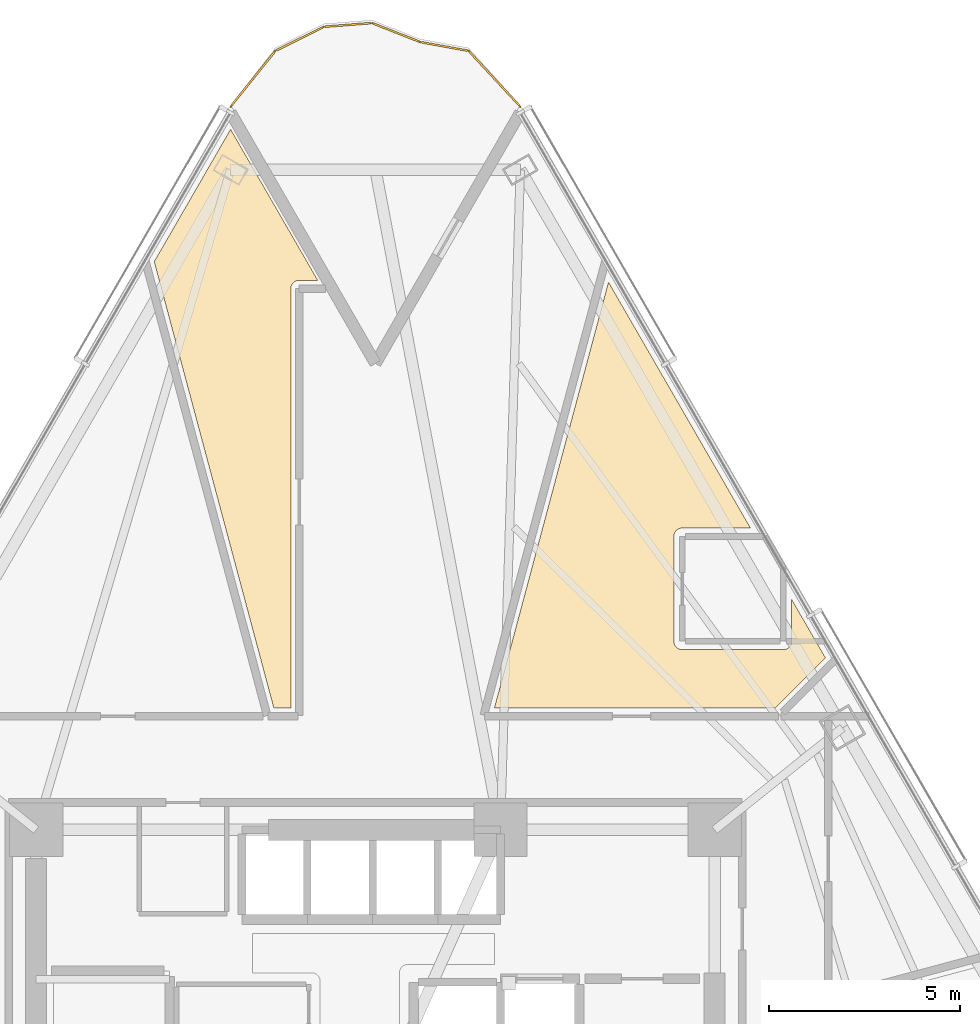
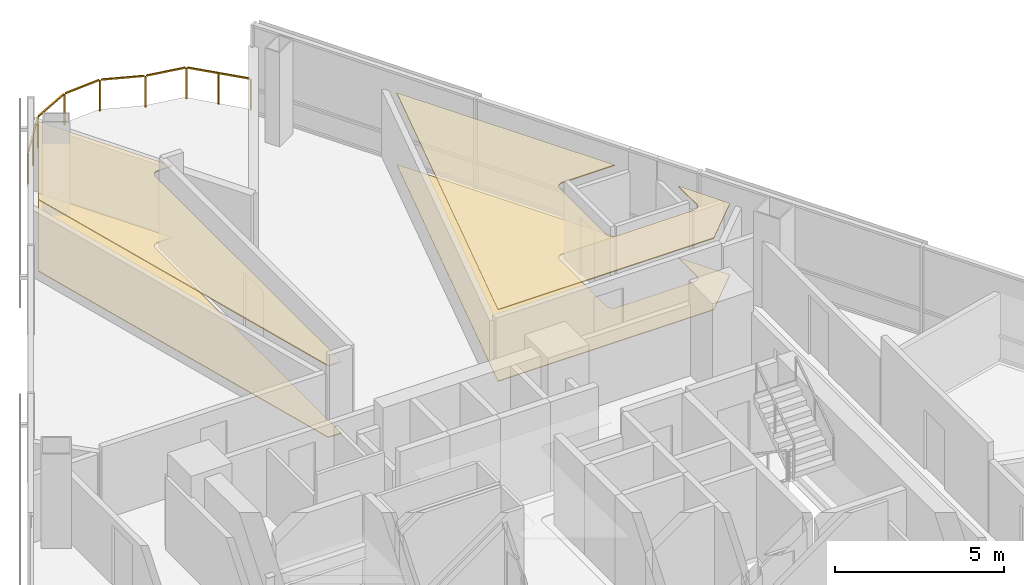
# One storey, part 16 of 16: 4 coverings, 1 railing.
"""IFC4 building model written with IfcOpenShell, lengths in metres."""

from ifc_helpers import new_model, si_unit, direction, frame, origin, origin_2d, place, context, subcontext, project, spatial, polyline, rectangle, outline, extrude, material, layer, layer_set, type_object, element, save


model = new_model("IFC4")

# Units and contexts
model_context = context("Model", 3, precision=1e-05, world=origin(), true_north=direction((0.0, 1.0)))
body_context = subcontext(model_context, "Body", "Model", "MODEL_VIEW")
ifc_project = project(units=[si_unit("LENGTHUNIT", "METRE"), si_unit("AREAUNIT", "SQUARE_METRE"), si_unit("VOLUMEUNIT", "CUBIC_METRE"), si_unit("PLANEANGLEUNIT", "RADIAN"), si_unit("MASSUNIT", "GRAM", prefix="KILO")], contexts=[model_context])

# Site, building, storey
site_placement = place(None, origin())
site = spatial("IfcSite", under=ifc_project, at=site_placement, CompositionType="ELEMENT")
building_placement = place(site_placement, origin())
building = spatial("IfcBuilding", under=site, at=building_placement, Name="Tharavind Bronze Gate", CompositionType="ELEMENT")
storey_placement = place(building_placement, frame((0.0, 0.0, 48.85009765625)))
storey = spatial("IfcBuildingStorey", under=building, at=storey_placement, Name="L11", CompositionType="ELEMENT", Elevation=48.85009765625)

# Coverings
ifc_material_1 = material(Name="Perforated Bronze Acoustic Panel", Category="bronze")
ifc_layer_1 = layer(ifc_material_1, 0.044921875)
ifc_layer_set_1 = layer_set([ifc_layer_1], Name="Perforated Bronze Acoustic Panel")
covering_type_1 = type_object("IfcCoveringType", Name="ACOUSTIC BRONZE BAFFLE CEILING", PredefinedType="CEILING", material=ifc_layer_set_1)
covering_1_placement = place(storey_placement, frame((0.0, 0.0, 2.574951171875)))
element("IfcCovering", 1, at=covering_1_placement, inside=storey, type_object=covering_type_1, Name="L11-RM-03 suspended ceiling", PredefinedType="CEILING", context=body_context, shape_type="SweptSolid", body=[
    extrude(outline(polyline([(-2.666015625, 10.800048828125), (-2.219970703125, 10.800048828125), (-2.219970703125, 21.79931640625), (-2.2197265625, 21.810302734375), (-2.2197265625, 21.810791015625), (-2.217529296875, 21.832275390625), (-2.21337890625, 21.853515625), (-2.20703125, 21.8740234375), (-2.19873046875, 21.89404296875), (-2.188720703125, 21.9130859375), (-2.1767578125, 21.930908203125), (-2.1630859375, 21.94775390625), (-2.147705078125, 21.962890625), (-2.131103515625, 21.976806640625), (-2.113037109375, 21.98876953125), (-2.093994140625, 21.998779296875), (-2.07421875, 22.007080078125), (-2.053466796875, 22.013427734375), (-2.0322265625, 22.017578125), (-2.0107421875, 22.019775390625), (-2.01025390625, 22.019775390625), (-1.99951171875, 22.02001953125), (-1.5146484375, 22.02001953125), (-3.800048828125, 25.978271484375), (-5.80322265625, 22.50830078125), (-2.666015625, 10.800048828125)])), origin(), (0.0, 0.0, 1.0), 0.034912109375),
])
ifc_material_2 = material(Name="Engineered Oak & Carpet Tile", Category="wood")
ifc_layer_2 = layer(ifc_material_2, 0.02490234375)
ifc_layer_set_2 = layer_set([ifc_layer_2], Name="Engineered Oak & Carpet Tile")
covering_type_2 = type_object("IfcCoveringType", Name="ENGINEERED TIMBER FLOORING", PredefinedType="FLOORING", material=ifc_layer_set_2)
covering_2_placement = place(storey_placement, origin())
element("IfcCovering", 2, at=covering_2_placement, inside=storey, type_object=covering_type_2, Name="L11-RM-02 floor finish", PredefinedType="FLOORING", context=body_context, shape_type="SweptSolid", body=[
    extrude(outline(polyline([(10.489013671875, 10.800048828125), (11.803955078125, 12.114990234375), (10.919921875, 13.64599609375), (10.919921875, 12.550048828125), (10.9189453125, 12.5283203125), (10.915771484375, 12.507080078125), (10.910400390625, 12.486083984375), (10.9033203125, 12.4658203125), (10.89404296875, 12.4462890625), (10.8828125, 12.427734375), (10.8701171875, 12.410400390625), (10.855712890625, 12.394287109375), (10.839599609375, 12.3798828125), (10.822265625, 12.3671875), (10.8037109375, 12.35595703125), (10.7841796875, 12.3466796875), (10.763916015625, 12.339599609375), (10.742919921875, 12.334228515625), (10.7216796875, 12.3310546875), (10.699951171875, 12.330078125), (8.050048828125, 12.330078125), (8.0283203125, 12.3310546875), (8.007080078125, 12.334228515625), (7.986083984375, 12.339599609375), (7.9658203125, 12.3466796875), (7.9462890625, 12.35595703125), (7.927734375, 12.3671875), (7.910400390625, 12.3798828125), (7.894287109375, 12.394287109375), (7.8798828125, 12.410400390625), (7.8671875, 12.427734375), (7.85595703125, 12.4462890625), (7.8466796875, 12.4658203125), (7.839599609375, 12.486083984375), (7.834228515625, 12.507080078125), (7.8310546875, 12.5283203125), (7.830078125, 12.550048828125), (7.830078125, 15.300048828125), (7.8310546875, 15.321533203125), (7.834228515625, 15.343017578125), (7.839599609375, 15.364013671875), (7.8466796875, 15.38427734375), (7.85595703125, 15.40380859375), (7.8671875, 15.422119140625), (7.8798828125, 15.439697265625), (7.894287109375, 15.45556640625), (7.910400390625, 15.47021484375), (7.927734375, 15.48291015625), (7.9462890625, 15.493896484375), (7.9658203125, 15.50341796875), (7.986083984375, 15.510498046875), (8.007080078125, 15.515869140625), (8.0283203125, 15.518798828125), (8.050048828125, 15.52001953125), (9.838134765625, 15.52001953125), (6.114501953125, 21.969482421875), (3.12158203125, 10.800048828125), (10.489013671875, 10.800048828125)])), origin(), (0.0, 0.0, 1.0), 0.02490234375),
])
ifc_material_3 = material(Name="Acoustic Gypsum Board", Category="gypsum")
ifc_layer_3 = layer(ifc_material_3, 0.030029296875)
ifc_layer_set_3 = layer_set([ifc_layer_3], Name="Acoustic Gypsum Board")
covering_type_3 = type_object("IfcCoveringType", Name="GYPSUM SUSPENDED CEILING", PredefinedType="CEILING", material=ifc_layer_set_3)
covering_3_placement = place(storey_placement, frame((0.0, 0.0, 2.574951171875)))
element("IfcCovering", 3, at=covering_3_placement, inside=storey, type_object=covering_type_3, Name="L11-RM-02 suspended ceiling", PredefinedType="CEILING", context=body_context, shape_type="SweptSolid", body=[
    extrude(outline(polyline([(10.489013671875, 10.800048828125), (11.803955078125, 12.114990234375), (10.919921875, 13.64599609375), (10.919921875, 12.550048828125), (10.9189453125, 12.5283203125), (10.915771484375, 12.507080078125), (10.910400390625, 12.486083984375), (10.9033203125, 12.4658203125), (10.89404296875, 12.4462890625), (10.8828125, 12.427734375), (10.8701171875, 12.410400390625), (10.855712890625, 12.394287109375), (10.839599609375, 12.3798828125), (10.822265625, 12.3671875), (10.8037109375, 12.35595703125), (10.7841796875, 12.3466796875), (10.763916015625, 12.339599609375), (10.742919921875, 12.334228515625), (10.7216796875, 12.3310546875), (10.699951171875, 12.330078125), (8.050048828125, 12.330078125), (8.0283203125, 12.3310546875), (8.007080078125, 12.334228515625), (7.986083984375, 12.339599609375), (7.9658203125, 12.3466796875), (7.9462890625, 12.35595703125), (7.927734375, 12.3671875), (7.910400390625, 12.3798828125), (7.894287109375, 12.394287109375), (7.8798828125, 12.410400390625), (7.8671875, 12.427734375), (7.85595703125, 12.4462890625), (7.8466796875, 12.4658203125), (7.839599609375, 12.486083984375), (7.834228515625, 12.507080078125), (7.8310546875, 12.5283203125), (7.830078125, 12.550048828125), (7.830078125, 15.300048828125), (7.8310546875, 15.321533203125), (7.834228515625, 15.343017578125), (7.839599609375, 15.364013671875), (7.8466796875, 15.38427734375), (7.85595703125, 15.40380859375), (7.8671875, 15.422119140625), (7.8798828125, 15.439697265625), (7.894287109375, 15.45556640625), (7.910400390625, 15.47021484375), (7.927734375, 15.48291015625), (7.9462890625, 15.493896484375), (7.9658203125, 15.50341796875), (7.986083984375, 15.510498046875), (8.007080078125, 15.515869140625), (8.0283203125, 15.518798828125), (8.050048828125, 15.52001953125), (9.838134765625, 15.52001953125), (6.114501953125, 21.969482421875), (3.12158203125, 10.800048828125), (10.489013671875, 10.800048828125)])), origin(), (0.0, 0.0, 1.0), 0.034912109375),
])
ifc_material_4 = material(Name="Honed Travertine Limestone", Category="masonry")
ifc_layer_4 = layer(ifc_material_4, 0.030029296875)
ifc_layer_set_4 = layer_set([ifc_layer_4], Name="Honed Travertine Limestone")
covering_type_4 = type_object("IfcCoveringType", Name="HONED LIMESTONE FLOORING", PredefinedType="FLOORING", material=ifc_layer_set_4)
covering_4_placement = place(storey_placement, origin())
element("IfcCovering", 4, at=covering_4_placement, inside=storey, type_object=covering_type_4, Name="L11-RM-03 floor finish", PredefinedType="FLOORING", context=body_context, shape_type="SweptSolid", body=[
    extrude(outline(polyline([(-2.666015625, 10.800048828125), (-2.219970703125, 10.800048828125), (-2.219970703125, 21.79931640625), (-2.2197265625, 21.810302734375), (-2.2197265625, 21.810791015625), (-2.217529296875, 21.832275390625), (-2.21337890625, 21.853515625), (-2.20703125, 21.8740234375), (-2.19873046875, 21.89404296875), (-2.188720703125, 21.9130859375), (-2.1767578125, 21.930908203125), (-2.1630859375, 21.94775390625), (-2.147705078125, 21.962890625), (-2.131103515625, 21.976806640625), (-2.113037109375, 21.98876953125), (-2.093994140625, 21.998779296875), (-2.07421875, 22.007080078125), (-2.053466796875, 22.013427734375), (-2.0322265625, 22.017578125), (-2.0107421875, 22.019775390625), (-2.01025390625, 22.019775390625), (-1.99951171875, 22.02001953125), (-1.5146484375, 22.02001953125), (-3.800048828125, 25.978271484375), (-5.80322265625, 22.50830078125), (-2.666015625, 10.800048828125)])), origin(), (0.0, 0.0, 1.0), 0.02490234375),
])

# Railing
ifc_material_5 = material(Name="Bronze Cap & Laminated Glass", Category="glass")
railing_type = type_object("IfcRailingType", Name="TERRACE GLASS GUARD RAILING 1150", PredefinedType="GUARDRAIL", material=ifc_material_5)
railing_placement = place(storey_placement, frame((-3.800048828125, 26.578125, 0.0)))
element("IfcRailing", 5, at=railing_placement, inside=storey, type_object=railing_type, Name="L11 tree balcony guard railing", PredefinedType="GUARDRAIL", context=body_context, shape_type="SweptSolid", body=[
    extrude(rectangle(XDim=0.048095703125, YDim=0.048095703125, at=origin_2d()), frame((0.02001953125, 0.02490234375, 1.1259765625), z_axis=(0.627706650624, 0.778449973192, 0.0), x_axis=(-0.778449973192, 0.627706650624, 0.0)), (0.0, 0.0, 1.0), 1.8115234375),
    extrude(rectangle(XDim=0.048095703125, YDim=0.048095703125, at=origin_2d()), frame((1.205810546875, 1.47412109375, 1.1259765625), z_axis=(0.89511626958, 0.445832775751, 0.0), x_axis=(-0.445832775751, 0.89511626958, 0.0)), (0.0, 0.0, 1.0), 1.35107421875),
    extrude(rectangle(XDim=0.048095703125, YDim=0.048095703125, at=origin_2d()), frame((2.475830078125, 2.09326171875, 1.1259765625), z_axis=(0.996951873955, 0.078018978571, 0.0), x_axis=(-0.078018978571, 0.996951873955, 0.0)), (0.0, 0.0, 1.0), 1.20654296875),
    extrude(rectangle(XDim=0.048095703125, YDim=0.048095703125, at=origin_2d()), frame((3.740234375, 2.17822265625, 1.1259765625), z_axis=(0.930539907569, -0.366190497448, 0.0), x_axis=(0.366190497448, 0.930539907569, 0.0)), (0.0, 0.0, 1.0), 1.29736328125),
    extrude(rectangle(XDim=0.048095703125, YDim=0.048095703125, at=origin_2d()), frame((5.0087890625, 1.685546875, 1.1259765625), z_axis=(0.983711769564, -0.179753037307, 0.0), x_axis=(0.179753037307, 0.983711769564, 0.0)), (0.0, 0.0, 1.0), 1.2236328125),
    extrude(rectangle(XDim=0.048095703125, YDim=0.048095703125, at=origin_2d()), frame((6.265625, 1.4365234375, 1.1259765625), z_axis=(0.680592067339, -0.732662567541, 0.0), x_axis=(0.732662567541, 0.680592067339, 0.0)), (0.0, 0.0, 1.0), 1.9287109375),
    extrude(rectangle(XDim=0.0400390625, YDim=0.0400390625, at=origin_2d()), origin(), (0.0, 0.0, 1.0), 1.097900390625),
    extrude(rectangle(XDim=0.0400390625, YDim=0.0400390625, at=origin_2d()), frame((0.588623046875, 0.72998046875, 0.0)), (0.0, 0.0, 1.0), 1.097900390625),
    extrude(rectangle(XDim=0.0400390625, YDim=0.0400390625, at=origin_2d()), frame((1.17724609375, 1.4599609375, 0.0)), (0.0, 0.0, 1.0), 1.097900390625),
    extrude(rectangle(XDim=0.0400390625, YDim=0.0400390625, at=origin_2d()), frame((2.44384765625, 2.0908203125, 0.0)), (0.0, 0.0, 1.0), 1.097900390625),
    extrude(rectangle(XDim=0.0400390625, YDim=0.0400390625, at=origin_2d()), frame((3.71044921875, 2.18994140625, 0.0)), (0.0, 0.0, 1.0), 1.097900390625),
    extrude(rectangle(XDim=0.0400390625, YDim=0.0400390625, at=origin_2d()), frame((4.977294921875, 1.69140625, 0.0)), (0.0, 0.0, 1.0), 1.097900390625),
    extrude(rectangle(XDim=0.0400390625, YDim=0.0400390625, at=origin_2d()), frame((6.243896484375, 1.4599609375, 0.0)), (0.0, 0.0, 1.0), 1.097900390625),
    extrude(rectangle(XDim=0.0400390625, YDim=0.0400390625, at=origin_2d()), frame((6.921875, 0.72998046875, 0.0)), (0.0, 0.0, 1.0), 1.097900390625),
    extrude(rectangle(XDim=0.0400390625, YDim=0.0400390625, at=origin_2d()), frame((7.60009765625, 0.0, 0.0)), (0.0, 0.0, 1.0), 1.097900390625),
])

save(model, "model.ifc")
